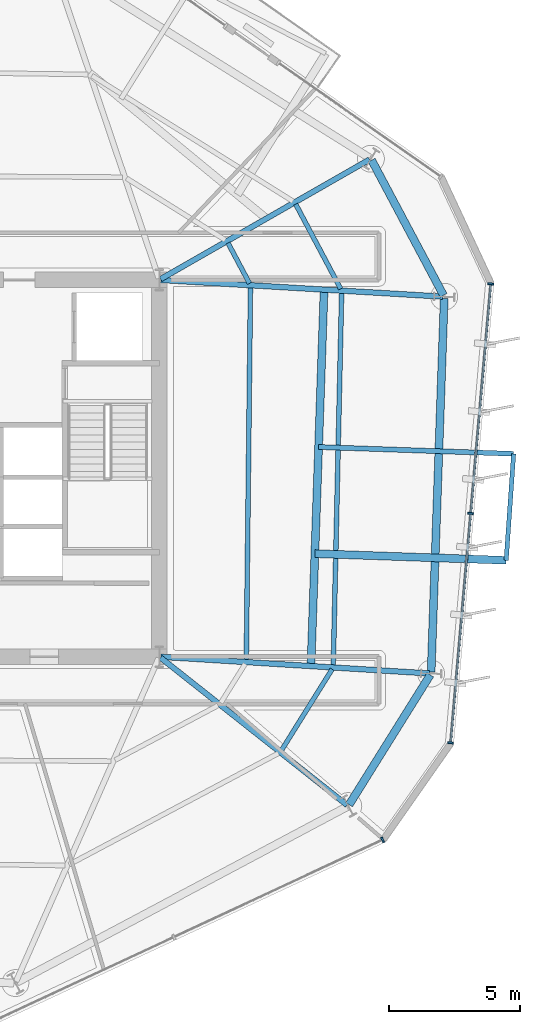
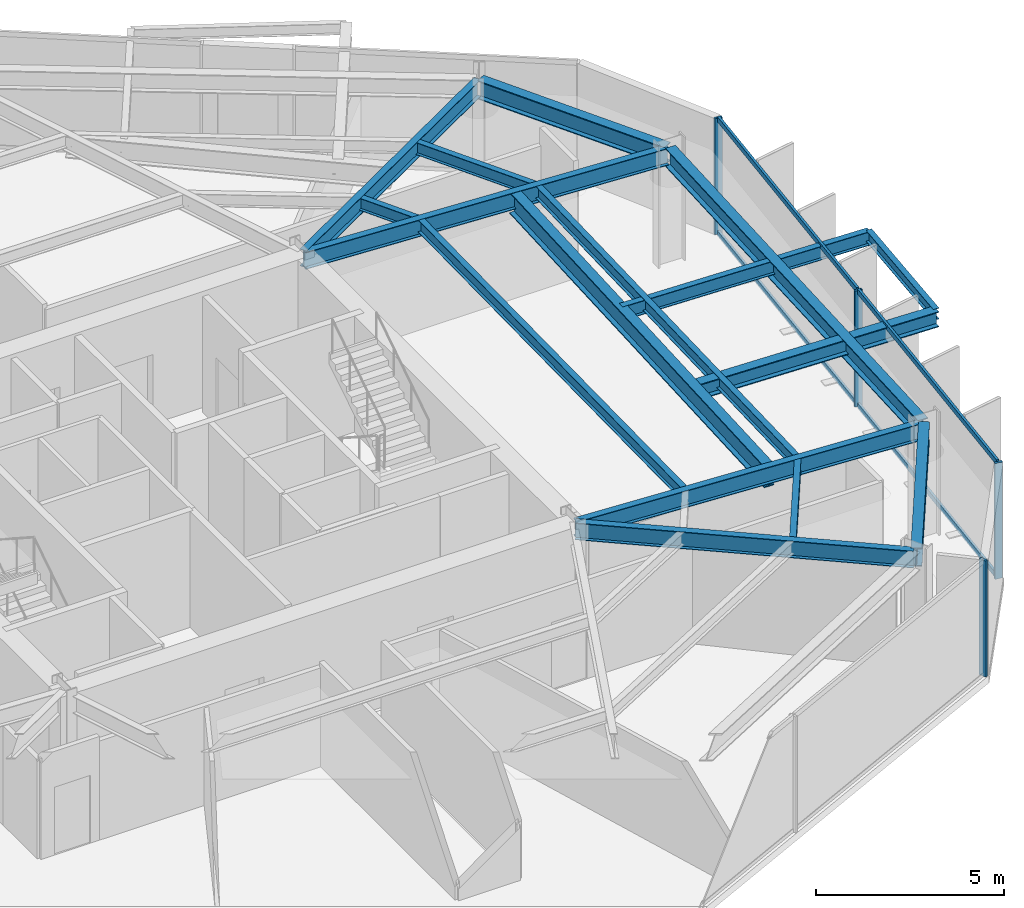
# One storey, part 4 of 12: 16 beams, 8 members, 2 elements without a shape of their own.
"""IFC4 building model written with IfcOpenShell, lengths in metres."""

from ifc_helpers import new_model, si_unit, direction, frame, origin, origin_2d, place, context, subcontext, project, spatial, rectangle, i_section, extrude, material, layer, layer_set, material_profile, profile_set, type_object, element, aggregate, save


model = new_model("IFC4")

# Units and contexts
model_context = context("Model", 3, precision=1e-05, world=origin(), true_north=direction((0.0, 1.0)))
body_context = subcontext(model_context, "Body", "Model", "MODEL_VIEW")
ifc_project = project(units=[si_unit("LENGTHUNIT", "METRE"), si_unit("AREAUNIT", "SQUARE_METRE"), si_unit("VOLUMEUNIT", "CUBIC_METRE"), si_unit("PLANEANGLEUNIT", "RADIAN"), si_unit("MASSUNIT", "GRAM", prefix="KILO")], contexts=[model_context])

# Site, building, storey
site_placement = place(None, origin())
site = spatial("IfcSite", under=ifc_project, at=site_placement, CompositionType="ELEMENT")
building_placement = place(site_placement, origin())
building = spatial("IfcBuilding", under=site, at=building_placement, Name="Kranzbogen Civic Tower", CompositionType="ELEMENT")
storey_placement = place(building_placement, frame((0.0, 0.0, 122.39990234375)))
storey = spatial("IfcBuildingStorey", under=building, at=storey_placement, Name="L29", CompositionType="ELEMENT", Elevation=122.39990234375)

# Beam
ifc_material_1 = material(Name="Steel S355", Category="steel")
ifc_material_profile_1 = material_profile(ifc_material_1, i_section(OverallWidth=0.18994140625, OverallDepth=0.449951171875, WebThickness=0.009521484375, FlangeThickness=0.0146484375, at=origin_2d()), Name="IPE 450")
ifc_profile_set_1 = profile_set([ifc_material_profile_1], Name="Steel S355")
beam_type_1 = type_object("IfcBeamType", Name="Braced Terrace Edge Beam IPE 450", PredefinedType="BEAM", material=ifc_profile_set_1)
beam_1_placement = place(storey_placement, frame((38.887939453125, 25.81298828125, 3.525146484375), z_axis=(0.999392038159, -0.034864796929, 0.0), x_axis=(0.034864796929, 0.999392038159, 0.0)))
element("IfcBeam", 1, at=beam_1_placement, inside=storey, type_object=beam_type_1, Name="L30 back-spanned terrace beam L30-TB2-2", PredefinedType="BEAM", context=body_context, shape_type="SweptSolid", body=[
    extrude(i_section(OverallWidth=0.18994140625, OverallDepth=0.449951171875, WebThickness=0.009521484375, FlangeThickness=0.0146484375, at=origin_2d()), origin(), (0.0, 0.0, 1.0), 7.457763671875),
])

# Curtain wall, member
ifc_material_2 = material(Name="Pale Anodised Aluminium", Category="aluminium")
ifc_layer = layer(ifc_material_2, 0.219970703125, Name="Pale Anodised Aluminium")
ifc_layer_set = layer_set([ifc_layer], Name="Pale Anodised Aluminium")
curtain_wall_type = type_object("IfcCurtainWallType", Name="Zone 2 Stick Curtain Wall System CW-03", PredefinedType="USERDEFINED", material=ifc_layer_set)
curtain_wall_1_placement = place(storey_placement, origin())
curtain_wall_1 = element("IfcCurtainWall", 2, at=curtain_wall_1_placement, inside=storey, type_object=curtain_wall_type, Name="L29 curtain wall CW-L29-F5", ObjectType="STICK CURTAIN WALL", PredefinedType="USERDEFINED")
ifc_material_profile_2 = material_profile(ifc_material_2, rectangle(XDim=0.074951171875, YDim=0.219970703125, at=origin_2d()), Name="ALU-M 75x220")
ifc_profile_set_2 = profile_set([ifc_material_profile_2], Name="Pale Anodised Aluminium")
member_type_1 = type_object("IfcMemberType", Name="Curtain Wall Mullion ALU-M 75x220", PredefinedType="MULLION", material=ifc_profile_set_2)
member_1_placement = place(storey_placement, frame((41.334716796875, 10.80126953125, 0.0), z_axis=(0.0, 0.0, 1.0), x_axis=(0.906297342068, 0.422640660325, 0.0)))
member_1 = element("IfcMember", 3, at=member_1_placement, type_object=member_type_1, Name="CW-03 mullion 3", PredefinedType="MULLION", context=body_context, shape_type="SweptSolid", body=[
    extrude(rectangle(XDim=0.074951171875, YDim=0.219970703125, at=origin_2d()), origin(), (0.0, 0.0, 1.0), 3.760009765625),
])
aggregate(curtain_wall_1, [member_1])

# Curtain wall, members
curtain_wall_2_placement = place(storey_placement, origin())
curtain_wall_2 = element("IfcCurtainWall", 4, at=curtain_wall_2_placement, inside=storey, type_object=curtain_wall_type, Name="L29 curtain wall CW-L29-F6", ObjectType="STICK CURTAIN WALL", PredefinedType="USERDEFINED")
member_2_placement = place(storey_placement, frame((43.9296875, 14.505859375, 0.0), z_axis=(0.0, 0.0, 1.0), x_axis=(0.087162035526, 0.996194147525, 0.0)))
member_2 = element("IfcMember", 5, at=member_2_placement, type_object=member_type_1, Name="CW-03 mullion 1", PredefinedType="MULLION", context=body_context, shape_type="SweptSolid", body=[
    extrude(rectangle(XDim=0.074951171875, YDim=0.219970703125, at=origin_2d()), origin(), (0.0, 0.0, 1.0), 3.760009765625),
])
member_3_placement = place(storey_placement, frame((44.697021484375, 23.276611328125, 0.0), z_axis=(0.0, 0.0, 1.0), x_axis=(0.087162035526, 0.996194147525, 0.0)))
member_3 = element("IfcMember", 6, at=member_3_placement, type_object=member_type_1, Name="CW-03 mullion 2", PredefinedType="MULLION", context=body_context, shape_type="SweptSolid", body=[
    extrude(rectangle(XDim=0.074951171875, YDim=0.219970703125, at=origin_2d()), origin(), (0.0, 0.0, 1.0), 3.760009765625),
])
member_4_placement = place(storey_placement, frame((45.46435546875, 32.047119140625, 0.0), z_axis=(0.0, 0.0, 1.0), x_axis=(0.087162035526, 0.996194147525, 0.0)))
member_4 = element("IfcMember", 7, at=member_4_placement, type_object=member_type_1, Name="CW-03 mullion 3", PredefinedType="MULLION", context=body_context, shape_type="SweptSolid", body=[
    extrude(rectangle(XDim=0.074951171875, YDim=0.219970703125, at=origin_2d()), origin(), (0.0, 0.0, 1.0), 3.760009765625),
])
ifc_material_profile_3 = material_profile(ifc_material_2, rectangle(XDim=0.074951171875, YDim=0.1650390625, at=origin_2d()), Name="ALU-T 75x165")
ifc_profile_set_3 = profile_set([ifc_material_profile_3], Name="Pale Anodised Aluminium")
member_type_2 = type_object("IfcMemberType", Name="Curtain Wall Transom ALU-T 75x165", PredefinedType="USERDEFINED", material=ifc_profile_set_3)
member_5_placement = place(storey_placement, frame((43.93212890625, 14.535888671875, 0.030029296875), z_axis=(0.087169374806, 0.996193505347, 0.0), x_axis=(-0.996193505347, 0.087169374806, 0.0)))
member_5 = element("IfcMember", 8, at=member_5_placement, type_object=member_type_2, Name="CW-03 transom 1.1", ObjectType="TRANSOM", PredefinedType="USERDEFINED", context=body_context, shape_type="SweptSolid", body=[
    extrude(rectangle(XDim=0.074951171875, YDim=0.1650390625, at=origin_2d()), origin(), (0.0, 0.0, 1.0), 8.743896484375),
])
member_6_placement = place(storey_placement, frame((43.93212890625, 14.535888671875, 3.72998046875), z_axis=(0.087169374806, 0.996193505347, 0.0), x_axis=(-0.996193505347, 0.087169374806, 0.0)))
member_6 = element("IfcMember", 9, at=member_6_placement, type_object=member_type_2, Name="CW-03 transom 1.2", ObjectType="TRANSOM", PredefinedType="USERDEFINED", context=body_context, shape_type="SweptSolid", body=[
    extrude(rectangle(XDim=0.074951171875, YDim=0.1650390625, at=origin_2d()), origin(), (0.0, 0.0, 1.0), 8.743896484375),
])
member_7_placement = place(storey_placement, frame((44.69970703125, 23.306396484375, 0.030029296875), z_axis=(0.087139242092, 0.996196141574, 0.0), x_axis=(-0.996196141574, 0.087139242092, 0.0)))
member_7 = element("IfcMember", 10, at=member_7_placement, type_object=member_type_2, Name="CW-03 transom 2.1", ObjectType="TRANSOM", PredefinedType="USERDEFINED", context=body_context, shape_type="SweptSolid", body=[
    extrude(rectangle(XDim=0.074951171875, YDim=0.1650390625, at=origin_2d()), origin(), (0.0, 0.0, 1.0), 8.744140625),
])
member_8_placement = place(storey_placement, frame((44.69970703125, 23.306396484375, 3.72998046875), z_axis=(0.087139242092, 0.996196141574, 0.0), x_axis=(-0.996196141574, 0.087139242092, 0.0)))
member_8 = element("IfcMember", 11, at=member_8_placement, type_object=member_type_2, Name="CW-03 transom 2.2", ObjectType="TRANSOM", PredefinedType="USERDEFINED", context=body_context, shape_type="SweptSolid", body=[
    extrude(rectangle(XDim=0.074951171875, YDim=0.1650390625, at=origin_2d()), origin(), (0.0, 0.0, 1.0), 8.744140625),
])
aggregate(curtain_wall_2, [member_2, member_3, member_4, member_5, member_6, member_7, member_8])

# Beams
ifc_material_profile_4 = material_profile(ifc_material_1, i_section(OverallWidth=0.300048828125, OverallDepth=0.5, WebThickness=0.014404296875, FlangeThickness=0.028076171875, at=origin_2d()), Name="HEB 500")
ifc_profile_set_4 = profile_set([ifc_material_profile_4], Name="Steel S355")
beam_type_2 = type_object("IfcBeamType", Name="Perimeter Tube Spandrel Beam HEB 500", PredefinedType="SPANDREL", material=ifc_profile_set_4)
beam_2_placement = place(storey_placement, frame((38.74609375, 21.738037109375, 3.5), z_axis=(0.999391482002, -0.034880735403, 0.0), x_axis=(0.034880735403, 0.999391482002, 0.0)))
element("IfcBeam", 12, at=beam_2_placement, inside=storey, type_object=beam_type_2, Name="L30 back-spanned terrace beam L30-TB2-1", PredefinedType="SPANDREL", context=body_context, shape_type="SweptSolid", body=[
    extrude(i_section(OverallWidth=0.300048828125, OverallDepth=0.5, WebThickness=0.014404296875, FlangeThickness=0.028076171875, at=origin_2d()), origin(), (0.0, 0.0, 1.0), 7.314208984375),
])
ifc_material_profile_5 = material_profile(ifc_material_1, i_section(OverallWidth=0.300048828125, OverallDepth=0.60009765625, WebThickness=0.015380859375, FlangeThickness=0.030029296875, at=origin_2d()), Name="HEB 600")
ifc_profile_set_5 = profile_set([ifc_material_profile_5], Name="Steel S355")
beam_type_3 = type_object("IfcBeamType", Name="Perimeter Tube Spandrel Beam HEB 600", PredefinedType="SPANDREL", material=ifc_profile_set_5)
beam_3_placement = place(storey_placement, frame((40.054931640625, 12.14306640625, 3.460205078125), z_axis=(0.529863902903, 0.848082687242, 0.0), x_axis=(-0.848082687242, 0.529863902903, 0.0)))
element("IfcBeam", 13, at=beam_3_placement, inside=storey, type_object=beam_type_3, Name="L29 perimeter spandrel beam 05", PredefinedType="SPANDREL", context=body_context, shape_type="SweptSolid", body=[
    extrude(i_section(OverallWidth=0.300048828125, OverallDepth=0.60009765625, WebThickness=0.015380859375, FlangeThickness=0.030029296875, at=origin_2d()), origin(), (0.0, 0.0, 1.0), 5.850830078125),
])
beam_4_placement = place(storey_placement, frame((43.18896484375, 17.216064453125, 3.460205078125), z_axis=(0.034924229103, 0.999389963038, 0.0), x_axis=(-0.999389963038, 0.034924229103, 0.0)))
element("IfcBeam", 14, at=beam_4_placement, inside=storey, type_object=beam_type_3, Name="L29 perimeter spandrel beam 06", PredefinedType="SPANDREL", context=body_context, shape_type="SweptSolid", body=[
    extrude(i_section(OverallWidth=0.300048828125, OverallDepth=0.60009765625, WebThickness=0.015380859375, FlangeThickness=0.030029296875, at=origin_2d()), origin(), (0.0, 0.0, 1.0), 14.288818359375),
])
beam_5_placement = place(storey_placement, frame((43.662109375, 31.60888671875, 3.460205078125), z_axis=(-0.469565926668, 0.882897412224, 0.0), x_axis=(-0.882897412224, -0.469565926668, 0.0)))
element("IfcBeam", 15, at=beam_5_placement, inside=storey, type_object=beam_type_3, Name="L29 perimeter spandrel beam 07", PredefinedType="SPANDREL", context=body_context, shape_type="SweptSolid", body=[
    extrude(i_section(OverallWidth=0.300048828125, OverallDepth=0.60009765625, WebThickness=0.015380859375, FlangeThickness=0.030029296875, at=origin_2d()), origin(), (0.0, 0.0, 1.0), 5.852294921875),
])
ifc_material_profile_6 = material_profile(ifc_material_1, i_section(OverallWidth=0.300048828125, OverallDepth=0.699951171875, WebThickness=0.01708984375, FlangeThickness=0.031982421875, at=origin_2d()), Name="HEB 700")
ifc_profile_set_6 = profile_set([ifc_material_profile_6], Name="Steel S355")
beam_type_4 = type_object("IfcBeamType", Name="Perimeter Tube Spandrel Beam HEB 700", PredefinedType="SPANDREL", material=ifc_profile_set_6)
beam_6_placement = place(storey_placement, frame((38.595947265625, 17.44091796875, 3.400146484375), z_axis=(0.034868227602, 0.99939191847, 0.0), x_axis=(-0.99939191847, 0.034868227602, 0.0)))
element("IfcBeam", 16, at=beam_6_placement, inside=storey, type_object=beam_type_4, Name="L30 balcony back-span header girder L30-TB2", PredefinedType="SPANDREL", context=body_context, shape_type="SweptSolid", body=[
    extrude(i_section(OverallWidth=0.300048828125, OverallDepth=0.699951171875, WebThickness=0.01708984375, FlangeThickness=0.031982421875, at=origin_2d()), origin(), (0.0, 0.0, 1.0), 14.395751953125),
])
ifc_material_profile_7 = material_profile(ifc_material_1, i_section(OverallWidth=0.2099609375, OverallDepth=0.550048828125, WebThickness=0.010986328125, FlangeThickness=0.01708984375, at=origin_2d()), Name="IPE 550")
ifc_profile_set_7 = profile_set([ifc_material_profile_7], Name="Steel S355")
beam_type_5 = type_object("IfcBeamType", Name="Radial Tower Floor Girder IPE 550", PredefinedType="BEAM", material=ifc_profile_set_7)
beam_7_placement = place(storey_placement, frame((39.97607421875, 12.12890625, 3.485107421875), z_axis=(-0.78457455683, 0.620034486763, 0.0), x_axis=(-0.620034486763, -0.78457455683, 0.0)))
element("IfcBeam", 17, at=beam_7_placement, inside=storey, type_object=beam_type_5, Name="L29 radial floor girder 05", PredefinedType="BEAM", context=body_context, shape_type="SweptSolid", body=[
    extrude(i_section(OverallWidth=0.2099609375, OverallDepth=0.550048828125, WebThickness=0.010986328125, FlangeThickness=0.01708984375, at=origin_2d()), origin(), (0.0, 0.0, 1.0), 9.086669921875),
])
beam_8_placement = place(storey_placement, frame((43.126953125, 17.159912109375, 3.485107421875), z_axis=(-0.998086872961, 0.061827130147, 0.0), x_axis=(-0.061827130147, -0.998086872961, 0.0)))
element("IfcBeam", 18, at=beam_8_placement, inside=storey, type_object=beam_type_5, Name="L29 radial floor girder 06", PredefinedType="BEAM", context=body_context, shape_type="SweptSolid", body=[
    extrude(i_section(OverallWidth=0.2099609375, OverallDepth=0.550048828125, WebThickness=0.010986328125, FlangeThickness=0.01708984375, at=origin_2d()), origin(), (0.0, 0.0, 1.0), 10.28662109375),
])
beam_9_placement = place(storey_placement, frame((43.6298828125, 31.56005859375, 3.485107421875), z_axis=(-0.998260925387, 0.058950189528, 0.0), x_axis=(-0.058950189528, -0.998260925387, 0.0)))
element("IfcBeam", 19, at=beam_9_placement, inside=storey, type_object=beam_type_5, Name="L29 radial floor girder 07", PredefinedType="BEAM", context=body_context, shape_type="SweptSolid", body=[
    extrude(i_section(OverallWidth=0.2099609375, OverallDepth=0.550048828125, WebThickness=0.010986328125, FlangeThickness=0.01708984375, at=origin_2d()), origin(), (0.0, 0.0, 1.0), 10.78857421875),
])
beam_10_placement = place(storey_placement, frame((40.833984375, 36.799072265625, 3.485107421875), z_axis=(-0.867868812182, -0.496793442833, 0.0), x_axis=(0.496793442833, -0.867868812182, 0.0)))
element("IfcBeam", 20, at=beam_10_placement, inside=storey, type_object=beam_type_5, Name="L29 radial floor girder 08", PredefinedType="BEAM", context=body_context, shape_type="SweptSolid", body=[
    extrude(i_section(OverallWidth=0.2099609375, OverallDepth=0.550048828125, WebThickness=0.010986328125, FlangeThickness=0.01708984375, at=origin_2d()), origin(), (0.0, 0.0, 1.0), 9.197265625),
])
ifc_material_profile_8 = material_profile(ifc_material_1, i_section(OverallWidth=0.169921875, OverallDepth=0.360107421875, WebThickness=0.008056640625, FlangeThickness=0.0126953125, at=origin_2d()), Name="IPE 360")
ifc_profile_set_8 = profile_set([ifc_material_profile_8], Name="Steel S355")
beam_type_6 = type_object("IfcBeamType", Name="Secondary Composite Floor Joist IPE 360", PredefinedType="JOIST", material=ifc_profile_set_8)
beam_11_placement = place(storey_placement, frame((46.055908203125, 21.48291015625, 3.570068359375), z_axis=(0.069890459894, 0.997554671993, 0.0), x_axis=(-0.997554671993, 0.069890459894, 0.0)))
element("IfcBeam", 21, at=beam_11_placement, inside=storey, type_object=beam_type_6, Name="L30 terrace outer edge trimmer L30-TB2", PredefinedType="JOIST", context=body_context, shape_type="SweptSolid", body=[
    extrude(i_section(OverallWidth=0.169921875, OverallDepth=0.360107421875, WebThickness=0.008056640625, FlangeThickness=0.0126953125, at=origin_2d()), origin(), (0.0, 0.0, 1.0), 4.080078125),
])
ifc_material_profile_9 = material_profile(ifc_material_1, i_section(OverallWidth=0.179931640625, OverallDepth=0.39990234375, WebThickness=0.008544921875, FlangeThickness=0.013427734375, at=origin_2d()), Name="IPE 400")
ifc_profile_set_9 = profile_set([ifc_material_profile_9], Name="Steel S355")
beam_type_7 = type_object("IfcBeamType", Name="Secondary Composite Floor Joist IPE 400", PredefinedType="JOIST", material=ifc_profile_set_9)
beam_12_placement = place(storey_placement, frame((37.465087890625, 14.215087890625, 3.56005859375), z_axis=(0.529867065107, 0.848080711557, 0.0), x_axis=(-0.848080711557, 0.529867065107, 0.0)))
element("IfcBeam", 22, at=beam_12_placement, inside=storey, type_object=beam_type_7, Name="L29 secondary floor joist 1.05", PredefinedType="JOIST", context=body_context, shape_type="SweptSolid", body=[
    extrude(i_section(OverallWidth=0.179931640625, OverallDepth=0.39990234375, WebThickness=0.008544921875, FlangeThickness=0.013427734375, at=origin_2d()), origin(), (0.0, 0.0, 1.0), 3.6611328125),
])
beam_13_placement = place(storey_placement, frame((39.448974609375, 17.468017578125, 3.56005859375), z_axis=(0.022402523442, 0.999749031979, 0.0), x_axis=(-0.999749031979, 0.022402523442, 0.0)))
element("IfcBeam", 23, at=beam_13_placement, inside=storey, type_object=beam_type_7, Name="L29 secondary floor joist 1.06", PredefinedType="JOIST", context=body_context, shape_type="SweptSolid", body=[
    extrude(i_section(OverallWidth=0.179931640625, OverallDepth=0.39990234375, WebThickness=0.008544921875, FlangeThickness=0.013427734375, at=origin_2d()), origin(), (0.0, 0.0, 1.0), 14.24365234375),
])
beam_14_placement = place(storey_placement, frame((36.125, 17.674072265625, 3.56005859375), z_axis=(0.011160516663, 0.999937719494, 0.0), x_axis=(-0.999937719494, 0.011160516663, 0.0)))
element("IfcBeam", 24, at=beam_14_placement, inside=storey, type_object=beam_type_7, Name="L29 secondary floor joist 2.06", PredefinedType="JOIST", context=body_context, shape_type="SweptSolid", body=[
    extrude(i_section(OverallWidth=0.179931640625, OverallDepth=0.39990234375, WebThickness=0.008544921875, FlangeThickness=0.013427734375, at=origin_2d()), origin(), (0.0, 0.0, 1.0), 14.240966796875),
])
beam_15_placement = place(storey_placement, frame((39.73193359375, 31.85791015625, 3.56005859375), z_axis=(-0.469338791783, 0.88301817565, 0.0), x_axis=(-0.88301817565, -0.469338791783, 0.0)))
element("IfcBeam", 25, at=beam_15_placement, inside=storey, type_object=beam_type_7, Name="L29 secondary floor joist 1.07", PredefinedType="JOIST", context=body_context, shape_type="SweptSolid", body=[
    extrude(i_section(OverallWidth=0.179931640625, OverallDepth=0.39990234375, WebThickness=0.008544921875, FlangeThickness=0.013427734375, at=origin_2d()), origin(), (0.0, 0.0, 1.0), 3.66259765625),
])
beam_16_placement = place(storey_placement, frame((36.2470703125, 32.06494140625, 3.56005859375), z_axis=(-0.46943723363, 0.882965845139, 0.0), x_axis=(-0.882965845139, -0.46943723363, 0.0)))
element("IfcBeam", 26, at=beam_16_placement, inside=storey, type_object=beam_type_7, Name="L29 secondary floor joist 2.07", PredefinedType="JOIST", context=body_context, shape_type="SweptSolid", body=[
    extrude(i_section(OverallWidth=0.179931640625, OverallDepth=0.39990234375, WebThickness=0.008544921875, FlangeThickness=0.013427734375, at=origin_2d()), origin(), (0.0, 0.0, 1.0), 1.7509765625),
])

save(model, "model.ifc")
